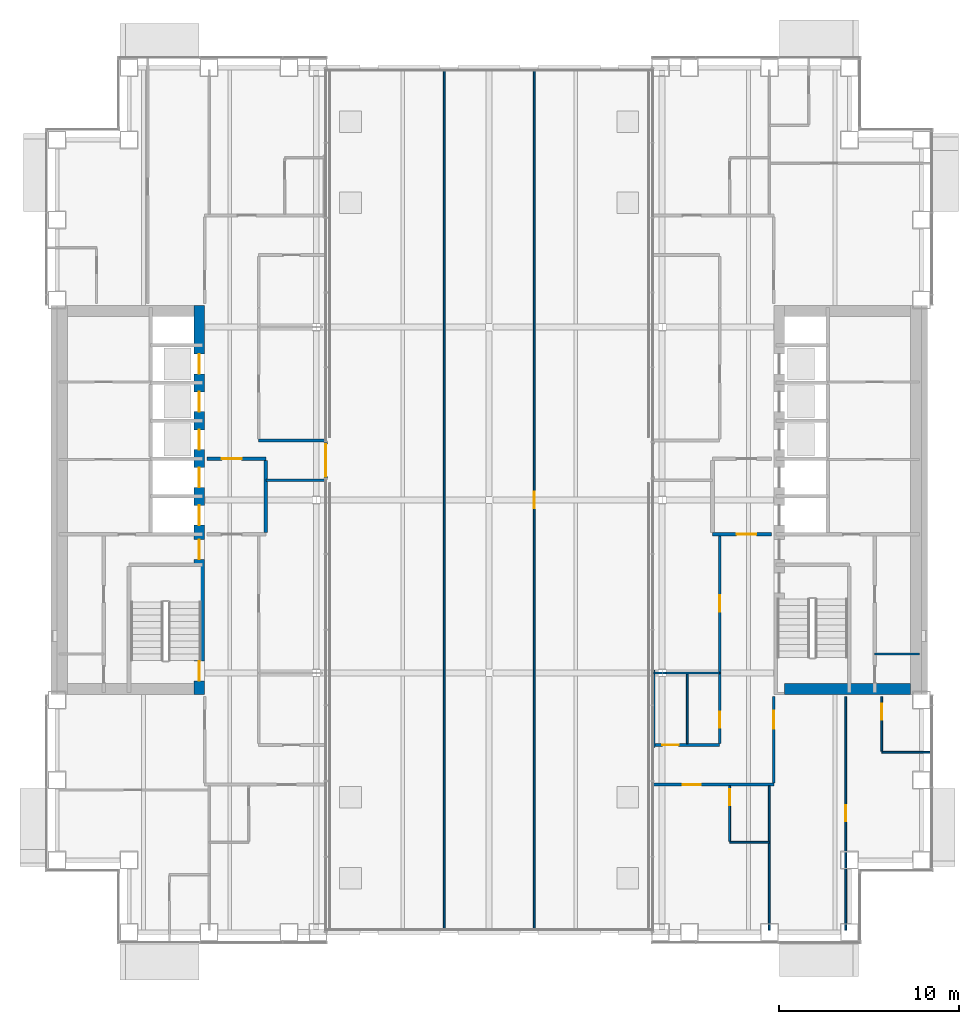
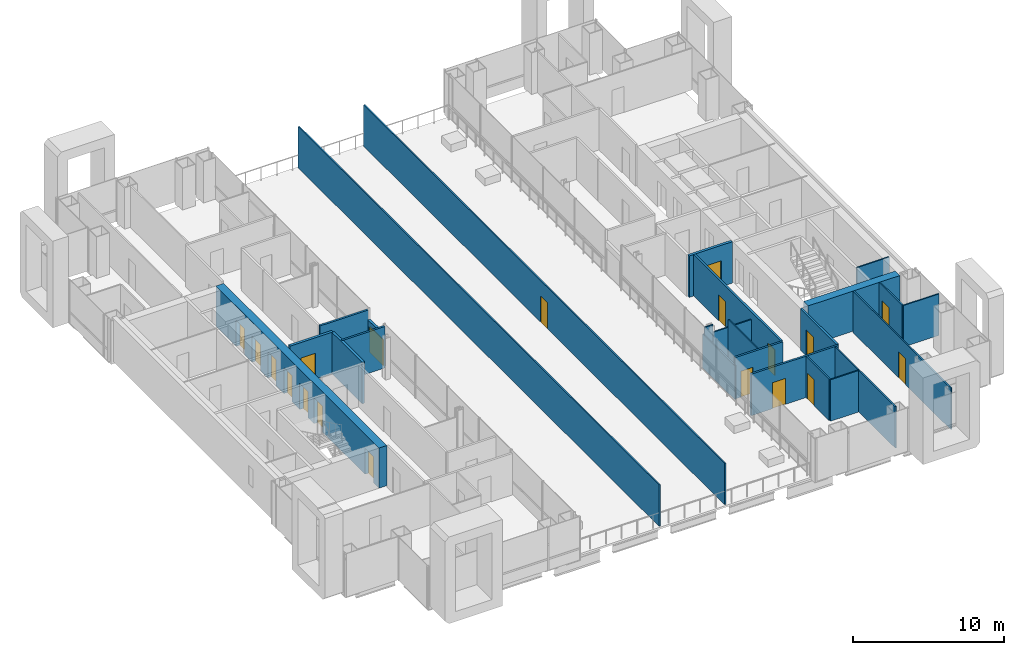
# One storey, part 18 of 24: 25 walls, 19 doors, 19 openings.
"""IFC4 building model written with IfcOpenShell, lengths in metres."""

from ifc_helpers import new_model, si_unit, direction, frame, frame_2d, origin, place, context, subcontext, project, spatial, rectangle, extrude, material, layer, layer_set, type_object, element, fill, save


model = new_model("IFC4")

# Units and contexts
model_context = context("Model", 3, precision=1e-05, world=origin(), true_north=direction((0.0, 1.0)))
body_context = subcontext(model_context, "Body", "Model", "MODEL_VIEW")
ifc_project = project(units=[si_unit("LENGTHUNIT", "METRE"), si_unit("AREAUNIT", "SQUARE_METRE"), si_unit("VOLUMEUNIT", "CUBIC_METRE"), si_unit("PLANEANGLEUNIT", "RADIAN"), si_unit("MASSUNIT", "GRAM", prefix="KILO")], contexts=[model_context])

# Site, building, storey
site_placement = place(None, origin())
site = spatial("IfcSite", under=ifc_project, at=site_placement, CompositionType="ELEMENT")
building_placement = place(site_placement, origin())
building = spatial("IfcBuilding", under=site, at=building_placement, Name="Cobrizo Arcos Hotel Tower", CompositionType="ELEMENT")
storey_placement = place(building_placement, frame((0.0, 0.0, 60.0)))
storey = spatial("IfcBuildingStorey", under=building, at=storey_placement, Name="L13", CompositionType="ELEMENT", Elevation=60.0)

# Wall, opening, door
ifc_material_1 = material(Name="Gypsum board partition")
ifc_layer_1 = layer(ifc_material_1, 0.14990234375)
ifc_layer_set_1 = layer_set([ifc_layer_1], Name="Corridor wall EI 60 150")
wall_type_1 = type_object("IfcWallType", Name="Corridor wall EI 60 150", PredefinedType="PARTITIONING", material=ifc_layer_set_1)
wall_1_placement = place(storey_placement, frame((9.1201171875, -15.800048828125, 0.0), z_axis=(0.0, 0.0, 1.0), x_axis=(1.0, 0.0, 0.0)))
wall_1 = element("IfcWall", 1, at=wall_1_placement, inside=storey, type_object=wall_type_1, Name="Partition 006", PredefinedType="PARTITIONING", context=body_context, shape_type="SweptSolid", body=[
    extrude(rectangle(XDim=6.679931640625, YDim=0.14990234375, at=frame_2d((3.33984375, 0.0))), origin(), (0.0, 0.0, 1.0), 3.35009765625),
])
opening_1_placement = place(wall_1_placement, frame((1.633056640625, 0.0, 0.0)))
opening_1 = element("IfcOpeningElement", 2, at=opening_1_placement, cuts=wall_1, Name="Opening GD-03", PredefinedType="OPENING", context=body_context, shape_type="SweptSolid", body=[
    extrude(rectangle(XDim=1.0, YDim=2.10009765625, at=frame_2d((0.5, 1.050048828125))), frame((0.0, 0.0869140625, 0.0), z_axis=(0.0, -1.0, 0.0), x_axis=(1.0, 0.0, 0.0)), (0.0, 0.0, 1.0), 0.173828125),
])
ifc_material_2 = material(Name="Timber door leaf", Category="wood")
door_type_1 = type_object("IfcDoorType", Name="Guest room door FD30S 1000x2100", OperationType="SINGLE_SWING_LEFT", PredefinedType="DOOR", material=ifc_material_2)
door_1_placement = place(opening_1_placement, origin())
door_1 = element("IfcDoor", 3, at=door_1_placement, inside=storey, type_object=door_type_1, Name="Door GD-03", OperationType="SINGLE_SWING_LEFT", OverallHeight=2.10009765625, OverallWidth=1.0, PredefinedType="DOOR", context=body_context, shape_type="SweptSolid", body=[
    extrude(rectangle(XDim=1.0, YDim=2.10009765625, at=frame_2d((0.5, 1.050048828125))), frame((0.0, 0.02490234375, 0.0), z_axis=(0.0, -1.0, 0.0), x_axis=(1.0, 0.0, 0.0)), (0.0, 0.0, 1.0), 0.050048828125),
])
fill(opening_1, door_1)

wall_2_placement = place(storey_placement, frame((9.14990234375, -13.60009765625, 0.0), z_axis=(0.0, 0.0, 1.0), x_axis=(1.0, 0.0, 0.0)))
wall_2 = element("IfcWall", 4, at=wall_2_placement, inside=storey, type_object=wall_type_1, Name="Partition 009", PredefinedType="PARTITIONING", context=body_context, shape_type="SweptSolid", body=[
    extrude(rectangle(XDim=3.650146484375, YDim=0.14990234375, at=frame_2d((1.8251953125, 0.0))), origin(), (0.0, 0.0, 1.0), 3.35009765625),
])
opening_2_placement = place(wall_2_placement, frame((0.4619140625, 0.0, 0.0)))
opening_2 = element("IfcOpeningElement", 5, at=opening_2_placement, cuts=wall_2, Name="Opening ED-09", PredefinedType="OPENING", context=body_context, shape_type="SweptSolid", body=[
    extrude(rectangle(XDim=0.89990234375, YDim=2.10009765625, at=frame_2d((0.449951171875, 1.050048828125))), frame((0.0, 0.0869140625, 0.0), z_axis=(0.0, -1.0, 0.0), x_axis=(1.0, 0.0, 0.0)), (0.0, 0.0, 1.0), 0.173828125),
])
door_type_2 = type_object("IfcDoorType", Name="En-suite door 900x2100", OperationType="SINGLE_SWING_LEFT", PredefinedType="DOOR", material=ifc_material_2)
door_2_placement = place(opening_2_placement, origin())
door_2 = element("IfcDoor", 6, at=door_2_placement, inside=storey, type_object=door_type_2, Name="Door ED-09", OperationType="SINGLE_SWING_RIGHT", OverallHeight=2.10009765625, OverallWidth=0.89990234375, PredefinedType="DOOR", context=body_context, shape_type="SweptSolid", body=[
    extrude(rectangle(XDim=0.89990234375, YDim=2.10009765625, at=frame_2d((0.449951171875, 1.050048828125))), frame((0.0, 0.02490234375, 0.0), z_axis=(0.0, -1.0, 0.0), x_axis=(1.0, 0.0, 0.0)), (0.0, 0.0, 1.0), 0.050048828125),
])
fill(opening_2, door_2)

# Walls
wall_3_placement = place(storey_placement, frame((-12.39990234375, 1.10009765625, 0.0), z_axis=(0.0, 0.0, 1.0), x_axis=(1.0, 0.0, 0.0)))
element("IfcWall", 7, at=wall_3_placement, inside=storey, type_object=wall_type_1, Name="Partition 024", PredefinedType="PARTITIONING", context=body_context, shape_type="SweptSolid", body=[
    extrude(rectangle(XDim=3.27978515625, YDim=0.14990234375, at=frame_2d((1.639892578125, 0.0))), origin(), (0.0, 0.0, 1.0), 3.35009765625),
])
wall_4_placement = place(storey_placement, frame((-12.800048828125, 3.300048828125, 0.0), z_axis=(0.0, 0.0, 1.0), x_axis=(1.0, 0.0, 0.0)))
element("IfcWall", 8, at=wall_4_placement, inside=storey, type_object=wall_type_1, Name="Partition 032", PredefinedType="PARTITIONING", context=body_context, shape_type="SweptSolid", body=[
    extrude(rectangle(XDim=3.679931640625, YDim=0.14990234375, at=frame_2d((1.83984375, 0.0))), origin(), (0.0, 0.0, 1.0), 3.35009765625),
])

# Wall, openings, doors
wall_5_placement = place(storey_placement, frame((12.800048828125, -13.52490234375, 0.0), z_axis=(0.0, 0.0, 1.0), x_axis=(0.0, 1.0, 0.0)))
wall_5 = element("IfcWall", 9, at=wall_5_placement, inside=storey, type_object=wall_type_1, Name="Partition 077", PredefinedType="PARTITIONING", context=body_context, shape_type="SweptSolid", body=[
    extrude(rectangle(XDim=11.52490234375, YDim=0.14990234375, at=frame_2d((5.762451171875, 0.0))), origin(), (0.0, 0.0, 1.0), 3.35009765625),
])
opening_3_placement = place(wall_5_placement, frame((0.875, 0.0, 0.0)))
opening_3 = element("IfcOpeningElement", 10, at=opening_3_placement, cuts=wall_5, Name="Opening ED-10", PredefinedType="OPENING", context=body_context, shape_type="SweptSolid", body=[
    extrude(rectangle(XDim=0.89990234375, YDim=2.10009765625, at=frame_2d((0.449951171875, 1.050048828125))), frame((0.0, 0.0869140625, 0.0), z_axis=(0.0, -1.0, 0.0), x_axis=(1.0, 0.0, 0.0)), (0.0, 0.0, 1.0), 0.173828125),
])
opening_4_placement = place(wall_5_placement, frame((7.324951171875, 0.0, 0.0)))
opening_4 = element("IfcOpeningElement", 11, at=opening_4_placement, cuts=wall_5, Name="Opening RD-19", PredefinedType="OPENING", context=body_context, shape_type="SweptSolid", body=[
    extrude(rectangle(XDim=0.89990234375, YDim=2.10009765625, at=frame_2d((0.449951171875, 1.050048828125))), frame((0.0, 0.0869140625, 0.0), z_axis=(0.0, -1.0, 0.0), x_axis=(1.0, 0.0, 0.0)), (0.0, 0.0, 1.0), 0.173828125),
])
door_3_placement = place(opening_3_placement, origin())
door_3 = element("IfcDoor", 12, at=door_3_placement, inside=storey, type_object=door_type_2, Name="Door ED-10", OperationType="SINGLE_SWING_LEFT", OverallHeight=2.10009765625, OverallWidth=0.89990234375, PredefinedType="DOOR", context=body_context, shape_type="SweptSolid", body=[
    extrude(rectangle(XDim=0.89990234375, YDim=2.10009765625, at=frame_2d((0.449951171875, 1.050048828125))), frame((0.0, 0.02490234375, 0.0), z_axis=(0.0, -1.0, 0.0), x_axis=(1.0, 0.0, 0.0)), (0.0, 0.0, 1.0), 0.050048828125),
])
fill(opening_3, door_3)
door_type_3 = type_object("IfcDoorType", Name="Room door FD30 900x2100", OperationType="SINGLE_SWING_LEFT", PredefinedType="DOOR", material=ifc_material_2)
door_4_placement = place(opening_4_placement, origin())
door_4 = element("IfcDoor", 13, at=door_4_placement, inside=storey, type_object=door_type_3, Name="Door RD-19", OperationType="SINGLE_SWING_RIGHT", OverallHeight=2.10009765625, OverallWidth=0.89990234375, PredefinedType="DOOR", context=body_context, shape_type="SweptSolid", body=[
    extrude(rectangle(XDim=0.89990234375, YDim=2.10009765625, at=frame_2d((0.449951171875, 1.050048828125))), frame((0.0, 0.02490234375, 0.0), z_axis=(0.0, -1.0, 0.0), x_axis=(1.0, 0.0, 0.0)), (0.0, 0.0, 1.0), 0.050048828125),
])
fill(opening_4, door_4)

# Wall, opening, door
wall_6_placement = place(storey_placement, frame((15.800048828125, -15.72509765625, 0.0), z_axis=(0.0, 0.0, 1.0), x_axis=(0.0, 1.0, 0.0)))
wall_6 = element("IfcWall", 14, at=wall_6_placement, inside=storey, type_object=wall_type_1, Name="Partition 084", PredefinedType="PARTITIONING", context=body_context, shape_type="SweptSolid", body=[
    extrude(rectangle(XDim=4.80517578125, YDim=0.14990234375, at=frame_2d((2.402587890625, 0.0))), origin(), (0.0, 0.0, 1.0), 3.35009765625),
])
opening_5_placement = place(wall_6_placement, frame((3.02490234375, 0.0, 0.0)))
opening_5 = element("IfcOpeningElement", 15, at=opening_5_placement, cuts=wall_6, Name="Opening GD-07", PredefinedType="OPENING", context=body_context, shape_type="SweptSolid", body=[
    extrude(rectangle(XDim=1.0, YDim=2.10009765625, at=frame_2d((0.5, 1.050048828125))), frame((0.0, 0.0869140625, 0.0), z_axis=(0.0, -1.0, 0.0), x_axis=(1.0, 0.0, 0.0)), (0.0, 0.0, 1.0), 0.173828125),
])
door_5_placement = place(opening_5_placement, origin())
door_5 = element("IfcDoor", 16, at=door_5_placement, inside=storey, type_object=door_type_1, Name="Door GD-07", OperationType="SINGLE_SWING_RIGHT", OverallHeight=2.10009765625, OverallWidth=1.0, PredefinedType="DOOR", context=body_context, shape_type="SweptSolid", body=[
    extrude(rectangle(XDim=1.0, YDim=2.10009765625, at=frame_2d((0.5, 1.050048828125))), frame((0.0, 0.02490234375, 0.0), z_axis=(0.0, -1.0, 0.0), x_axis=(1.0, 0.0, 0.0)), (0.0, 0.0, 1.0), 0.050048828125),
])
fill(opening_5, door_5)

ifc_material_3 = material(Name="Aluminium 6063-T6 anodised pale", Category="aluminium")
ifc_layer_2 = layer(ifc_material_3, 0.199951171875)
ifc_layer_set_2 = layer_set([ifc_layer_2], Name="EW-4 sky bridge door frame wall")
wall_type_2 = type_object("IfcWallType", Name="EW-4 sky bridge door frame wall", PredefinedType="SOLIDWALL", material=ifc_layer_set_2)
wall_7_placement = place(storey_placement, frame((-9.074951171875, 1.199951171875, 0.0), z_axis=(0.0, 0.0, 1.0), x_axis=(0.0, 1.0, 0.0)))
wall_7 = element("IfcWall", 17, at=wall_7_placement, inside=storey, type_object=wall_type_2, Name="Garden deck door wall A W", PredefinedType="SOLIDWALL", context=body_context, shape_type="SweptSolid", body=[
    extrude(rectangle(XDim=2.0, YDim=0.199951171875, at=frame_2d((1.0, 0.0))), origin(), (0.0, 0.0, 1.0), 2.59326171875),
])
opening_6_placement = place(wall_7_placement, frame((0.10009765625, 0.0, 0.0)))
opening_6 = element("IfcOpeningElement", 18, at=opening_6_placement, cuts=wall_7, Name="Opening E-19", PredefinedType="OPENING", context=body_context, shape_type="SweptSolid", body=[
    extrude(rectangle(XDim=1.800048828125, YDim=2.10009765625, at=frame_2d((0.89990234375, 1.050048828125))), frame((0.0, 0.112060546875, 0.0), z_axis=(0.0, -1.0, 0.0), x_axis=(1.0, 0.0, 0.0)), (0.0, 0.0, 1.0), 0.223876953125),
])
ifc_material_4 = material(Name="Aluminium 6063-T6 and clear laminated glass", Category="aluminium")
door_type_4 = type_object("IfcDoorType", Name="D-B1 sky bridge double door 1800x2100", OperationType="DOUBLE_DOOR_DOUBLE_SWING", PredefinedType="DOOR", material=ifc_material_4)
door_6_placement = place(opening_6_placement, origin())
door_6 = element("IfcDoor", 19, at=door_6_placement, inside=storey, type_object=door_type_4, Name="Garden deck door wall A W door E-19", OperationType="DOUBLE_DOOR_DOUBLE_SWING", OverallHeight=2.10009765625, OverallWidth=1.800048828125, PredefinedType="DOOR", context=body_context, shape_type="SweptSolid", body=[
    extrude(rectangle(XDim=1.800048828125, YDim=2.10009765625, at=frame_2d((0.89990234375, 1.050048828125))), frame((0.0, 0.02490234375, 0.0), z_axis=(0.0, -1.0, 0.0), x_axis=(1.0, 0.0, 0.0)), (0.0, 0.0, 1.0), 0.050048828125),
])
fill(opening_6, door_6)

# Walls
ifc_layer_3 = layer(ifc_material_1, 0.10009765625)
ifc_layer_set_3 = layer_set([ifc_layer_3], Name="Partition EI 30 100")
wall_type_3 = type_object("IfcWallType", Name="Partition EI 30 100", PredefinedType="PARTITIONING", material=ifc_layer_set_3)
wall_8_placement = place(storey_placement, frame((13.35009765625, -19.0, 0.0), z_axis=(0.0, 0.0, 1.0), x_axis=(1.0, 0.0, 0.0)))
element("IfcWall", 20, at=wall_8_placement, inside=storey, type_object=wall_type_3, Name="Partition 003", PredefinedType="PARTITIONING", context=body_context, shape_type="SweptSolid", body=[
    extrude(rectangle(XDim=2.199951171875, YDim=0.10009765625, at=frame_2d((1.10009765625, 0.0))), origin(), (0.0, 0.0, 1.0), 3.35009765625),
])
wall_9_placement = place(storey_placement, frame((21.800048828125, -14.0, 0.0), z_axis=(0.0, 0.0, 1.0), x_axis=(1.0, 0.0, 0.0)))
element("IfcWall", 21, at=wall_9_placement, inside=storey, type_object=wall_type_3, Name="Partition 007", PredefinedType="PARTITIONING", context=body_context, shape_type="SweptSolid", body=[
    extrude(rectangle(XDim=2.72998046875, YDim=0.10009765625, at=frame_2d((1.364990234375, 0.0))), origin(), (0.0, 0.0, 1.0), 3.35009765625),
])
wall_10_placement = place(storey_placement, frame((9.14990234375, -9.60009765625, 0.0), z_axis=(0.0, 0.0, 1.0), x_axis=(1.0, 0.0, 0.0)))
element("IfcWall", 22, at=wall_10_placement, inside=storey, type_object=wall_type_3, Name="Partition 012", PredefinedType="PARTITIONING", context=body_context, shape_type="SweptSolid", body=[
    extrude(rectangle(XDim=0.654052734375, YDim=0.10009765625, at=frame_2d((0.3271484375, 0.0))), origin(), (0.0, 0.0, 1.0), 3.35009765625),
])
wall_11_placement = place(storey_placement, frame((9.803955078125, -9.60009765625, 0.0), z_axis=(0.0, 0.0, 1.0), x_axis=(1.0, 0.0, 0.0)))
element("IfcWall", 23, at=wall_11_placement, inside=storey, type_object=wall_type_3, Name="Partition 013", PredefinedType="PARTITIONING", context=body_context, shape_type="SweptSolid", body=[
    extrude(rectangle(XDim=2.99609375, YDim=0.10009765625, at=frame_2d((1.498046875, 0.0))), origin(), (0.0, 0.0, 1.0), 2.72802734375),
])
wall_12_placement = place(storey_placement, frame((21.39990234375, -8.550048828125, 0.0), z_axis=(0.0, 0.0, 1.0), x_axis=(1.0, 0.0, 0.0)))
element("IfcWall", 24, at=wall_12_placement, inside=storey, type_object=wall_type_3, Name="Partition 015", PredefinedType="PARTITIONING", context=body_context, shape_type="SweptSolid", body=[
    extrude(rectangle(XDim=2.47998046875, YDim=0.10009765625, at=frame_2d((1.239990234375, 0.0))), origin(), (0.0, 0.0, 1.0), 3.25),
])
wall_13_placement = place(storey_placement, frame((-2.5, -23.8798828125, 0.0), z_axis=(0.0, 0.0, 1.0), x_axis=(0.0, 1.0, 0.0)))
element("IfcWall", 25, at=wall_13_placement, inside=storey, type_object=wall_type_3, Name="Partition 072", PredefinedType="PARTITIONING", context=body_context, shape_type="SweptSolid", body=[
    extrude(rectangle(XDim=47.759765625, YDim=0.10009765625, at=frame_2d((23.8798828125, 0.0))), origin(), (0.0, 0.0, 1.0), 3.35009765625),
])

# Wall, opening, door
wall_14_placement = place(storey_placement, frame((2.5, -23.8798828125, 0.0), z_axis=(0.0, 0.0, 1.0), x_axis=(0.0, 1.0, 0.0)))
wall_14 = element("IfcWall", 26, at=wall_14_placement, inside=storey, type_object=wall_type_3, Name="Partition 073", PredefinedType="PARTITIONING", context=body_context, shape_type="SweptSolid", body=[
    extrude(rectangle(XDim=47.759765625, YDim=0.10009765625, at=frame_2d((23.8798828125, 0.0))), origin(), (0.0, 0.0, 1.0), 3.35009765625),
])
opening_7_placement = place(wall_14_placement, frame((23.429931640625, 0.0, 0.0)))
opening_7 = element("IfcOpeningElement", 27, at=opening_7_placement, cuts=wall_14, Name="Opening RD-21", PredefinedType="OPENING", context=body_context, shape_type="SweptSolid", body=[
    extrude(rectangle(XDim=0.89990234375, YDim=2.10009765625, at=frame_2d((0.449951171875, 1.050048828125))), frame((0.0, 0.06201171875, 0.0), z_axis=(0.0, -1.0, 0.0), x_axis=(1.0, 0.0, 0.0)), (0.0, 0.0, 1.0), 0.1240234375),
])
door_7_placement = place(opening_7_placement, origin())
door_7 = element("IfcDoor", 28, at=door_7_placement, inside=storey, type_object=door_type_3, Name="Door RD-21", OperationType="SINGLE_SWING_LEFT", OverallHeight=2.10009765625, OverallWidth=0.89990234375, PredefinedType="DOOR", context=body_context, shape_type="SweptSolid", body=[
    extrude(rectangle(XDim=0.89990234375, YDim=2.10009765625, at=frame_2d((0.449951171875, 1.050048828125))), frame((0.0, 0.02490234375, 0.0), z_axis=(0.0, -1.0, 0.0), x_axis=(1.0, 0.0, 0.0)), (0.0, 0.0, 1.0), 0.050048828125),
])
fill(opening_7, door_7)

# Walls
wall_15_placement = place(storey_placement, frame((9.14990234375, -13.739990234375, 0.0), z_axis=(0.0, 0.0, 1.0), x_axis=(0.0, 1.0, 0.0)))
element("IfcWall", 29, at=wall_15_placement, inside=storey, type_object=wall_type_3, Name="Partition 074", PredefinedType="PARTITIONING", context=body_context, shape_type="SweptSolid", body=[
    extrude(rectangle(XDim=4.280029296875, YDim=0.10009765625, at=frame_2d((2.14013671875, 0.0))), origin(), (0.0, 0.0, 1.0), 2.73291015625),
])
wall_16_placement = place(storey_placement, frame((11.0, -13.52490234375, 0.0), z_axis=(0.0, 0.0, 1.0), x_axis=(0.0, 1.0, 0.0)))
element("IfcWall", 30, at=wall_16_placement, inside=storey, type_object=wall_type_3, Name="Partition 075", PredefinedType="PARTITIONING", context=body_context, shape_type="SweptSolid", body=[
    extrude(rectangle(XDim=3.875, YDim=0.10009765625, at=frame_2d((1.9375, 0.0))), origin(), (0.0, 0.0, 1.0), 3.35009765625),
])

# Wall, opening, door
wall_17_placement = place(storey_placement, frame((13.35009765625, -18.949951171875, 0.0), z_axis=(0.0, 0.0, 1.0), x_axis=(0.0, 1.0, 0.0)))
wall_17 = element("IfcWall", 31, at=wall_17_placement, inside=storey, type_object=wall_type_3, Name="Partition 080", PredefinedType="PARTITIONING", context=body_context, shape_type="SweptSolid", body=[
    extrude(rectangle(XDim=3.074951171875, YDim=0.10009765625, at=frame_2d((1.53759765625, 0.0))), origin(), (0.0, 0.0, 1.0), 3.35009765625),
])
opening_8_placement = place(wall_17_placement, frame((1.99609375, 0.0, 0.0)))
opening_8 = element("IfcOpeningElement", 32, at=opening_8_placement, cuts=wall_17, Name="Opening ED-03", PredefinedType="OPENING", context=body_context, shape_type="SweptSolid", body=[
    extrude(rectangle(XDim=0.89990234375, YDim=2.10009765625, at=frame_2d((0.449951171875, 1.050048828125))), frame((0.0, 0.06201171875, 0.0), z_axis=(0.0, -1.0, 0.0), x_axis=(1.0, 0.0, 0.0)), (0.0, 0.0, 1.0), 0.1240234375),
])
door_8_placement = place(opening_8_placement, origin())
door_8 = element("IfcDoor", 33, at=door_8_placement, inside=storey, type_object=door_type_2, Name="Door ED-03", OperationType="SINGLE_SWING_LEFT", OverallHeight=2.10009765625, OverallWidth=0.89990234375, PredefinedType="DOOR", context=body_context, shape_type="SweptSolid", body=[
    extrude(rectangle(XDim=0.89990234375, YDim=2.10009765625, at=frame_2d((0.449951171875, 1.050048828125))), frame((0.0, 0.02490234375, 0.0), z_axis=(0.0, -1.0, 0.0), x_axis=(1.0, 0.0, 0.0)), (0.0, 0.0, 1.0), 0.050048828125),
])
fill(opening_8, door_8)

# Wall
wall_18_placement = place(storey_placement, frame((15.550048828125, -23.8798828125, 0.0), z_axis=(0.0, 0.0, 1.0), x_axis=(0.0, 1.0, 0.0)))
element("IfcWall", 34, at=wall_18_placement, inside=storey, type_object=wall_type_3, Name="Partition 082", PredefinedType="PARTITIONING", context=body_context, shape_type="SweptSolid", body=[
    extrude(rectangle(XDim=8.0048828125, YDim=0.10009765625, at=frame_2d((4.00244140625, 0.0))), origin(), (0.0, 0.0, 1.0), 3.35009765625),
])

# Wall, opening, door
wall_19_placement = place(storey_placement, frame((19.800048828125, -23.8798828125, 0.0), z_axis=(0.0, 0.0, 1.0), x_axis=(0.0, 1.0, 0.0)))
wall_19 = element("IfcWall", 35, at=wall_19_placement, inside=storey, type_object=wall_type_3, Name="Partition 090", PredefinedType="PARTITIONING", context=body_context, shape_type="SweptSolid", body=[
    extrude(rectangle(XDim=12.9599609375, YDim=0.10009765625, at=frame_2d((6.47998046875, 0.0))), origin(), (0.0, 0.0, 1.0), 3.35009765625),
])
opening_9_placement = place(wall_19_placement, frame((6.030029296875, 0.0, 0.0)))
opening_9 = element("IfcOpeningElement", 36, at=opening_9_placement, cuts=wall_19, Name="Opening RD-13", PredefinedType="OPENING", context=body_context, shape_type="SweptSolid", body=[
    extrude(rectangle(XDim=0.89990234375, YDim=2.10009765625, at=frame_2d((0.449951171875, 1.050048828125))), frame((0.0, 0.06201171875, 0.0), z_axis=(0.0, -1.0, 0.0), x_axis=(1.0, 0.0, 0.0)), (0.0, 0.0, 1.0), 0.1240234375),
])
door_9_placement = place(opening_9_placement, origin())
door_9 = element("IfcDoor", 37, at=door_9_placement, inside=storey, type_object=door_type_3, Name="Door RD-13", OperationType="SINGLE_SWING_RIGHT", OverallHeight=2.10009765625, OverallWidth=0.89990234375, PredefinedType="DOOR", context=body_context, shape_type="SweptSolid", body=[
    extrude(rectangle(XDim=0.89990234375, YDim=2.10009765625, at=frame_2d((0.449951171875, 1.050048828125))), frame((0.0, 0.02490234375, 0.0), z_axis=(0.0, -1.0, 0.0), x_axis=(1.0, 0.0, 0.0)), (0.0, 0.0, 1.0), 0.050048828125),
])
fill(opening_9, door_9)

wall_20_placement = place(storey_placement, frame((21.800048828125, -13.949951171875, 0.0), z_axis=(0.0, 0.0, 1.0), x_axis=(0.0, 1.0, 0.0)))
wall_20 = element("IfcWall", 38, at=wall_20_placement, inside=storey, type_object=wall_type_3, Name="Partition 093", PredefinedType="PARTITIONING", context=body_context, shape_type="SweptSolid", body=[
    extrude(rectangle(XDim=3.030029296875, YDim=0.10009765625, at=frame_2d((1.51513671875, 0.0))), origin(), (0.0, 0.0, 1.0), 3.35009765625),
])
opening_10_placement = place(wall_20_placement, frame((1.739990234375, 0.0, 0.0)))
opening_10 = element("IfcOpeningElement", 39, at=opening_10_placement, cuts=wall_20, Name="Opening ED-07", PredefinedType="OPENING", context=body_context, shape_type="SweptSolid", body=[
    extrude(rectangle(XDim=0.89990234375, YDim=2.10009765625, at=frame_2d((0.449951171875, 1.050048828125))), frame((0.0, 0.06201171875, 0.0), z_axis=(0.0, -1.0, 0.0), x_axis=(1.0, 0.0, 0.0)), (0.0, 0.0, 1.0), 0.1240234375),
])
door_10_placement = place(opening_10_placement, origin())
door_10 = element("IfcDoor", 40, at=door_10_placement, inside=storey, type_object=door_type_2, Name="Door ED-07", OperationType="SINGLE_SWING_LEFT", OverallHeight=2.10009765625, OverallWidth=0.89990234375, PredefinedType="DOOR", context=body_context, shape_type="SweptSolid", body=[
    extrude(rectangle(XDim=0.89990234375, YDim=2.10009765625, at=frame_2d((0.449951171875, 1.050048828125))), frame((0.0, 0.02490234375, 0.0), z_axis=(0.0, -1.0, 0.0), x_axis=(1.0, 0.0, 0.0)), (0.0, 0.0, 1.0), 0.050048828125),
])
fill(opening_10, door_10)

# Wall
ifc_material_5 = material(Name="Concrete f'c 60 MPa", Category="concrete")
ifc_layer_4 = layer(ifc_material_5, 0.60009765625)
ifc_layer_set_4 = layer_set([ifc_layer_4], Name="RC core wall 600 f'c 60")
wall_type_4 = type_object("IfcWallType", Name="RC core wall 600 f'c 60", PredefinedType="SHEAR", material=ifc_layer_set_4)
wall_21_placement = place(storey_placement, frame((16.39990234375, -10.5, 0.0), z_axis=(0.0, 0.0, 1.0), x_axis=(1.0, 0.0, 0.0)))
element("IfcWall", 41, at=wall_21_placement, inside=storey, type_object=wall_type_4, Name="Core wall CW1, east core, south end, L13", PredefinedType="SHEAR", context=body_context, shape_type="SweptSolid", body=[
    extrude(rectangle(XDim=7.0, YDim=0.60009765625, at=frame_2d((3.5, 0.0))), origin(), (0.0, 0.0, 1.0), 3.25),
])

# Wall, openings, doors
wall_22_placement = place(storey_placement, frame((-16.10009765625, -10.800048828125, 0.0), z_axis=(0.0, 0.0, 1.0), x_axis=(0.0, 1.0, 0.0)))
wall_22 = element("IfcWall", 42, at=wall_22_placement, inside=storey, type_object=wall_type_4, Name="Core wall CW1, west core, inner face, L13", PredefinedType="SHEAR", context=body_context, shape_type="SweptSolid", body=[
    extrude(rectangle(XDim=21.60009765625, YDim=0.60009765625, at=frame_2d((10.800048828125, 0.0))), origin(), (0.0, 0.0, 1.0), 3.25),
])
opening_11_placement = place(wall_22_placement, frame((9.39990234375, 0.0, 0.0)))
opening_11 = element("IfcOpeningElement", 43, at=opening_11_placement, cuts=wall_22, Name="Opening LD-01", PredefinedType="OPENING", context=body_context, shape_type="SweptSolid", body=[
    extrude(rectangle(XDim=1.10009765625, YDim=2.10009765625, at=frame_2d((0.550048828125, 1.050048828125))), frame((0.0, 0.31201171875, 0.0), z_axis=(0.0, -1.0, 0.0), x_axis=(1.0, 0.0, 0.0)), (0.0, 0.0, 1.0), 0.6240234375),
])
opening_12_placement = place(wall_22_placement, frame((11.5, 0.0, 0.0)))
opening_12 = element("IfcOpeningElement", 44, at=opening_12_placement, cuts=wall_22, Name="Opening LD-02", PredefinedType="OPENING", context=body_context, shape_type="SweptSolid", body=[
    extrude(rectangle(XDim=1.10009765625, YDim=2.10009765625, at=frame_2d((0.550048828125, 1.050048828125))), frame((0.0, 0.31201171875, 0.0), z_axis=(0.0, -1.0, 0.0), x_axis=(1.0, 0.0, 0.0)), (0.0, 0.0, 1.0), 0.6240234375),
])
opening_13_placement = place(wall_22_placement, frame((13.60009765625, 0.0, 0.0)))
opening_13 = element("IfcOpeningElement", 45, at=opening_13_placement, cuts=wall_22, Name="Opening LD-03", PredefinedType="OPENING", context=body_context, shape_type="SweptSolid", body=[
    extrude(rectangle(XDim=1.10009765625, YDim=2.10009765625, at=frame_2d((0.550048828125, 1.050048828125))), frame((0.0, 0.31201171875, 0.0), z_axis=(0.0, -1.0, 0.0), x_axis=(1.0, 0.0, 0.0)), (0.0, 0.0, 1.0), 0.6240234375),
])
opening_14_placement = place(wall_22_placement, frame((15.699951171875, 0.0, 0.0)))
opening_14 = element("IfcOpeningElement", 46, at=opening_14_placement, cuts=wall_22, Name="Opening LD-04", PredefinedType="OPENING", context=body_context, shape_type="SweptSolid", body=[
    extrude(rectangle(XDim=1.10009765625, YDim=2.10009765625, at=frame_2d((0.550048828125, 1.050048828125))), frame((0.0, 0.31201171875, 0.0), z_axis=(0.0, -1.0, 0.0), x_axis=(1.0, 0.0, 0.0)), (0.0, 0.0, 1.0), 0.6240234375),
])
opening_15_placement = place(wall_22_placement, frame((17.800048828125, 0.0, 0.0)))
opening_15 = element("IfcOpeningElement", 47, at=opening_15_placement, cuts=wall_22, Name="Opening LD-05", PredefinedType="OPENING", context=body_context, shape_type="SweptSolid", body=[
    extrude(rectangle(XDim=1.10009765625, YDim=2.10009765625, at=frame_2d((0.550048828125, 1.050048828125))), frame((0.0, 0.31201171875, 0.0), z_axis=(0.0, -1.0, 0.0), x_axis=(1.0, 0.0, 0.0)), (0.0, 0.0, 1.0), 0.6240234375),
])
opening_16_placement = place(wall_22_placement, frame((0.758056640625, 0.0, 0.0)))
opening_16 = element("IfcOpeningElement", 48, at=opening_16_placement, cuts=wall_22, Name="Opening SD-01", PredefinedType="OPENING", context=body_context, shape_type="SweptSolid", body=[
    extrude(rectangle(XDim=1.10009765625, YDim=2.10009765625, at=frame_2d((0.550048828125, 1.050048828125))), frame((0.0, 0.31201171875, 0.0), z_axis=(0.0, -1.0, 0.0), x_axis=(1.0, 0.0, 0.0)), (0.0, 0.0, 1.0), 0.6240234375),
])
opening_17_placement = place(wall_22_placement, frame((7.5, 0.0, 0.0)))
opening_17 = element("IfcOpeningElement", 49, at=opening_17_placement, cuts=wall_22, Name="Opening FD-01", PredefinedType="OPENING", context=body_context, shape_type="SweptSolid", body=[
    extrude(rectangle(XDim=1.10009765625, YDim=2.10009765625, at=frame_2d((0.550048828125, 1.050048828125))), frame((0.0, 0.31201171875, 0.0), z_axis=(0.0, -1.0, 0.0), x_axis=(1.0, 0.0, 0.0)), (0.0, 0.0, 1.0), 0.6240234375),
])
ifc_material_6 = material(Name="Steel door leaf", Category="steel")
door_type_5 = type_object("IfcDoorType", Name="Fire door FD60 1100x2100", OperationType="SINGLE_SWING_LEFT", PredefinedType="DOOR", material=ifc_material_6)
door_11_placement = place(opening_17_placement, origin())
door_11 = element("IfcDoor", 50, at=door_11_placement, inside=storey, type_object=door_type_5, Name="Door FD-01", OperationType="SINGLE_SWING_LEFT", OverallHeight=2.10009765625, OverallWidth=1.10009765625, PredefinedType="DOOR", context=body_context, shape_type="SweptSolid", body=[
    extrude(rectangle(XDim=1.10009765625, YDim=2.10009765625, at=frame_2d((0.550048828125, 1.050048828125))), frame((0.0, 0.02490234375, 0.0), z_axis=(0.0, -1.0, 0.0), x_axis=(1.0, 0.0, 0.0)), (0.0, 0.0, 1.0), 0.050048828125),
])
fill(opening_17, door_11)
door_type_6 = type_object("IfcDoorType", Name="Lift landing door 1100x2100", OperationType="SLIDING_TO_LEFT", PredefinedType="DOOR", material=ifc_material_6)
door_12_placement = place(opening_11_placement, origin())
door_12 = element("IfcDoor", 51, at=door_12_placement, inside=storey, type_object=door_type_6, Name="Lift landing door LD-01", OperationType="SLIDING_TO_LEFT", OverallHeight=2.10009765625, OverallWidth=1.10009765625, PredefinedType="DOOR", context=body_context, shape_type="SweptSolid", body=[
    extrude(rectangle(XDim=1.10009765625, YDim=2.10009765625, at=frame_2d((0.550048828125, 1.050048828125))), frame((0.0, 0.02490234375, 0.0), z_axis=(0.0, -1.0, 0.0), x_axis=(1.0, 0.0, 0.0)), (0.0, 0.0, 1.0), 0.050048828125),
])
fill(opening_11, door_12)
door_13_placement = place(opening_12_placement, origin())
door_13 = element("IfcDoor", 52, at=door_13_placement, inside=storey, type_object=door_type_6, Name="Lift landing door LD-02", OperationType="SLIDING_TO_LEFT", OverallHeight=2.10009765625, OverallWidth=1.10009765625, PredefinedType="DOOR", context=body_context, shape_type="SweptSolid", body=[
    extrude(rectangle(XDim=1.10009765625, YDim=2.10009765625, at=frame_2d((0.550048828125, 1.050048828125))), frame((0.0, 0.02490234375, 0.0), z_axis=(0.0, -1.0, 0.0), x_axis=(1.0, 0.0, 0.0)), (0.0, 0.0, 1.0), 0.050048828125),
])
fill(opening_12, door_13)
door_14_placement = place(opening_13_placement, origin())
door_14 = element("IfcDoor", 53, at=door_14_placement, inside=storey, type_object=door_type_6, Name="Lift landing door LD-03", OperationType="SLIDING_TO_LEFT", OverallHeight=2.10009765625, OverallWidth=1.10009765625, PredefinedType="DOOR", context=body_context, shape_type="SweptSolid", body=[
    extrude(rectangle(XDim=1.10009765625, YDim=2.10009765625, at=frame_2d((0.550048828125, 1.050048828125))), frame((0.0, 0.02490234375, 0.0), z_axis=(0.0, -1.0, 0.0), x_axis=(1.0, 0.0, 0.0)), (0.0, 0.0, 1.0), 0.050048828125),
])
fill(opening_13, door_14)
door_15_placement = place(opening_14_placement, origin())
door_15 = element("IfcDoor", 54, at=door_15_placement, inside=storey, type_object=door_type_6, Name="Lift landing door LD-04", OperationType="SLIDING_TO_LEFT", OverallHeight=2.10009765625, OverallWidth=1.10009765625, PredefinedType="DOOR", context=body_context, shape_type="SweptSolid", body=[
    extrude(rectangle(XDim=1.10009765625, YDim=2.10009765625, at=frame_2d((0.550048828125, 1.050048828125))), frame((0.0, 0.02490234375, 0.0), z_axis=(0.0, -1.0, 0.0), x_axis=(1.0, 0.0, 0.0)), (0.0, 0.0, 1.0), 0.050048828125),
])
fill(opening_14, door_15)
door_16_placement = place(opening_15_placement, origin())
door_16 = element("IfcDoor", 55, at=door_16_placement, inside=storey, type_object=door_type_6, Name="Lift landing door LD-05", OperationType="SLIDING_TO_LEFT", OverallHeight=2.10009765625, OverallWidth=1.10009765625, PredefinedType="DOOR", context=body_context, shape_type="SweptSolid", body=[
    extrude(rectangle(XDim=1.10009765625, YDim=2.10009765625, at=frame_2d((0.550048828125, 1.050048828125))), frame((0.0, 0.02490234375, 0.0), z_axis=(0.0, -1.0, 0.0), x_axis=(1.0, 0.0, 0.0)), (0.0, 0.0, 1.0), 0.050048828125),
])
fill(opening_15, door_16)
door_type_7 = type_object("IfcDoorType", Name="Stair door FD60S 1100x2100", OperationType="SINGLE_SWING_LEFT", PredefinedType="DOOR", material=ifc_material_6)
door_17_placement = place(opening_16_placement, origin())
door_17 = element("IfcDoor", 56, at=door_17_placement, inside=storey, type_object=door_type_7, Name="Door SD-01", OperationType="SINGLE_SWING_RIGHT", OverallHeight=2.10009765625, OverallWidth=1.10009765625, PredefinedType="DOOR", context=body_context, shape_type="SweptSolid", body=[
    extrude(rectangle(XDim=1.10009765625, YDim=2.10009765625, at=frame_2d((0.550048828125, 1.050048828125))), frame((0.0, 0.02490234375, 0.0), z_axis=(0.0, -1.0, 0.0), x_axis=(1.0, 0.0, 0.0)), (0.0, 0.0, 1.0), 0.050048828125),
])
fill(opening_16, door_17)

# Wall, opening, door
ifc_layer_5 = layer(ifc_material_1, 0.199951171875)
ifc_layer_set_5 = layer_set([ifc_layer_5], Name="Shaft wall EI 120 200")
wall_type_5 = type_object("IfcWallType", Name="Shaft wall EI 120 200", PredefinedType="PARTITIONING", material=ifc_layer_set_5)
wall_23_placement = place(storey_placement, frame((12.39990234375, -1.89990234375, 0.0), z_axis=(0.0, 0.0, 1.0), x_axis=(1.0, 0.0, 0.0)))
wall_23 = element("IfcWall", 57, at=wall_23_placement, inside=storey, type_object=wall_type_5, Name="Partition 020", PredefinedType="PARTITIONING", context=body_context, shape_type="SweptSolid", body=[
    extrude(rectangle(XDim=3.280029296875, YDim=0.199951171875, at=frame_2d((1.64013671875, 0.0))), origin(), (0.0, 0.0, 1.0), 3.35009765625),
])
opening_18_placement = place(wall_23_placement, frame((1.340087890625, 0.0, 0.0)))
opening_18 = element("IfcOpeningElement", 58, at=opening_18_placement, cuts=wall_23, Name="Opening FD-06", PredefinedType="OPENING", context=body_context, shape_type="SweptSolid", body=[
    extrude(rectangle(XDim=1.10009765625, YDim=2.10009765625, at=frame_2d((0.550048828125, 1.050048828125))), frame((0.0, 0.112060546875, 0.0), z_axis=(0.0, -1.0, 0.0), x_axis=(1.0, 0.0, 0.0)), (0.0, 0.0, 1.0), 0.223876953125),
])
door_18_placement = place(opening_18_placement, origin())
door_18 = element("IfcDoor", 59, at=door_18_placement, inside=storey, type_object=door_type_5, Name="Door FD-06", OperationType="SINGLE_SWING_LEFT", OverallHeight=2.10009765625, OverallWidth=1.10009765625, PredefinedType="DOOR", context=body_context, shape_type="SweptSolid", body=[
    extrude(rectangle(XDim=1.10009765625, YDim=2.10009765625, at=frame_2d((0.550048828125, 1.050048828125))), frame((0.0, 0.02490234375, 0.0), z_axis=(0.0, -1.0, 0.0), x_axis=(1.0, 0.0, 0.0)), (0.0, 0.0, 1.0), 0.050048828125),
])
fill(opening_18, door_18)

wall_24_placement = place(storey_placement, frame((-15.679931640625, 2.300048828125, 0.0), z_axis=(0.0, 0.0, 1.0), x_axis=(1.0, 0.0, 0.0)))
wall_24 = element("IfcWall", 60, at=wall_24_placement, inside=storey, type_object=wall_type_5, Name="Partition 029", PredefinedType="PARTITIONING", context=body_context, shape_type="SweptSolid", body=[
    extrude(rectangle(XDim=3.280029296875, YDim=0.199951171875, at=frame_2d((1.64013671875, 0.0))), origin(), (0.0, 0.0, 1.0), 3.35009765625),
])
opening_19_placement = place(wall_24_placement, frame((0.840087890625, 0.0, 0.0)))
opening_19 = element("IfcOpeningElement", 61, at=opening_19_placement, cuts=wall_24, Name="Opening FD-02", PredefinedType="OPENING", context=body_context, shape_type="SweptSolid", body=[
    extrude(rectangle(XDim=1.10009765625, YDim=2.10009765625, at=frame_2d((0.550048828125, 1.050048828125))), frame((0.0, 0.112060546875, 0.0), z_axis=(0.0, -1.0, 0.0), x_axis=(1.0, 0.0, 0.0)), (0.0, 0.0, 1.0), 0.223876953125),
])
door_19_placement = place(opening_19_placement, origin())
door_19 = element("IfcDoor", 62, at=door_19_placement, inside=storey, type_object=door_type_5, Name="Door FD-02", OperationType="SINGLE_SWING_RIGHT", OverallHeight=2.10009765625, OverallWidth=1.10009765625, PredefinedType="DOOR", context=body_context, shape_type="SweptSolid", body=[
    extrude(rectangle(XDim=1.10009765625, YDim=2.10009765625, at=frame_2d((0.550048828125, 1.050048828125))), frame((0.0, 0.02490234375, 0.0), z_axis=(0.0, -1.0, 0.0), x_axis=(1.0, 0.0, 0.0)), (0.0, 0.0, 1.0), 0.050048828125),
])
fill(opening_19, door_19)

# Wall
wall_25_placement = place(storey_placement, frame((-12.39990234375, -1.800048828125, 0.0), z_axis=(0.0, 0.0, 1.0), x_axis=(0.0, 1.0, 0.0)))
element("IfcWall", 63, at=wall_25_placement, inside=storey, type_object=wall_type_5, Name="Partition 069", PredefinedType="PARTITIONING", context=body_context, shape_type="SweptSolid", body=[
    extrude(rectangle(XDim=4.0, YDim=0.199951171875, at=frame_2d((2.0, 0.0))), origin(), (0.0, 0.0, 1.0), 3.35009765625),
])

save(model, "model.ifc")
